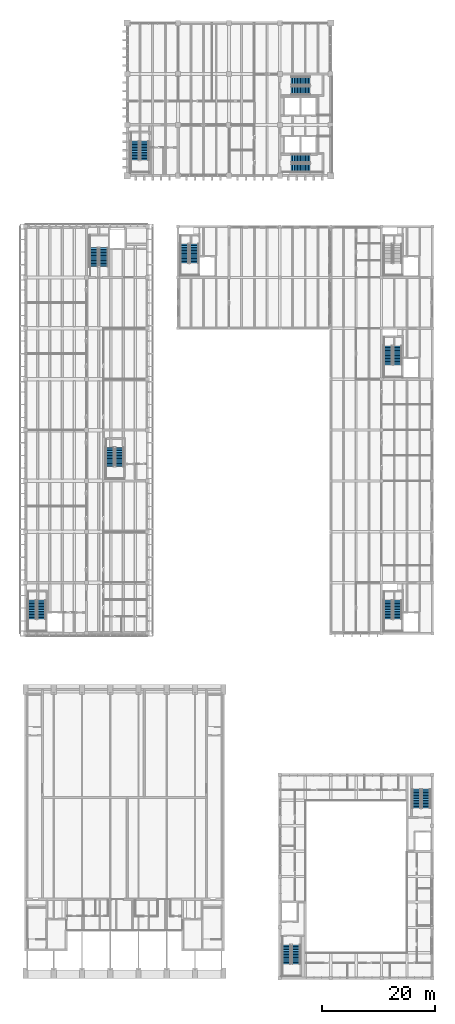
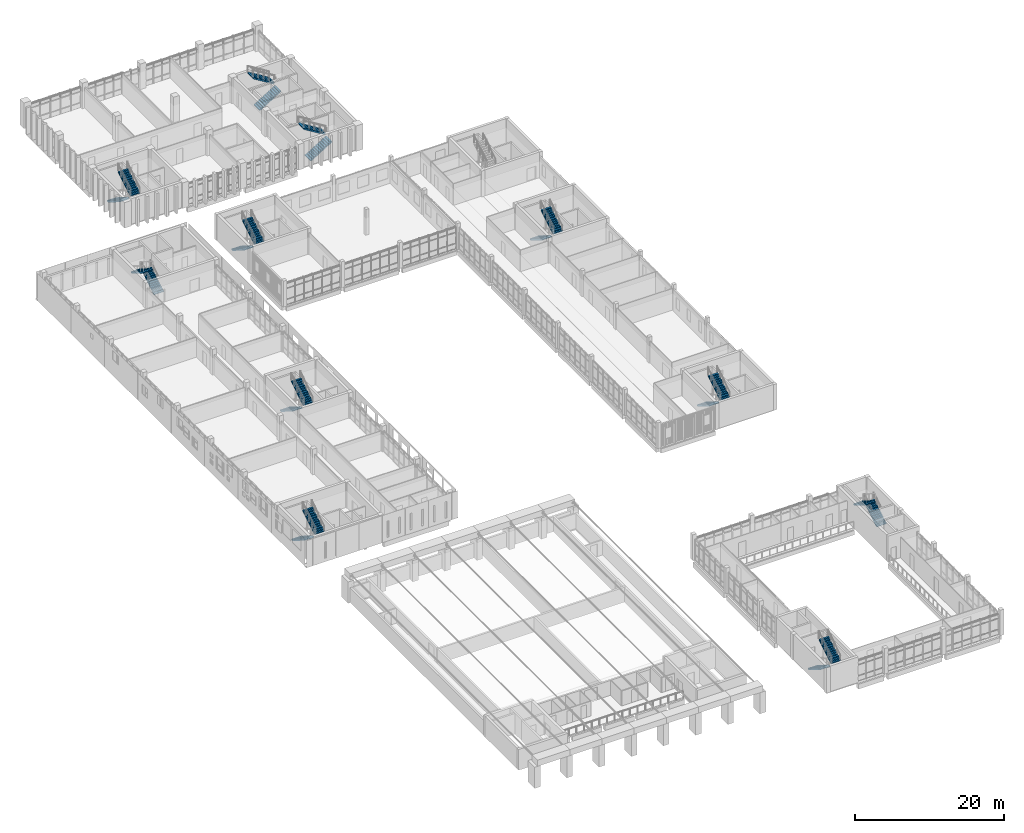
# One storey, part 60 of 92: 22 stair flights, 11 elements without a shape of their own.
"""IFC4 building model written with IfcOpenShell, lengths in metres."""

from ifc_helpers import new_model, si_unit, direction, frame, origin, place, context, subcontext, project, spatial, polyline, outline, extrude, material, type_object, element, aggregate, save


model = new_model("IFC4")

# Units and contexts
model_context = context("Model", 3, precision=1e-05, world=origin(), true_north=direction((0.0, 1.0)))
body_context = subcontext(model_context, "Body", "Model", "MODEL_VIEW")
ifc_project = project(units=[si_unit("LENGTHUNIT", "METRE"), si_unit("AREAUNIT", "SQUARE_METRE"), si_unit("VOLUMEUNIT", "CUBIC_METRE"), si_unit("PLANEANGLEUNIT", "RADIAN"), si_unit("MASSUNIT", "GRAM", prefix="KILO")], contexts=[model_context])

# Site, building, storey
site_placement = place(None, origin())
site = spatial("IfcSite", under=ifc_project, at=site_placement, CompositionType="ELEMENT")
building_placement = place(site_placement, origin())
building = spatial("IfcBuilding", under=site, at=building_placement, Name="Merrow Basin Faculty of Sciences", CompositionType="ELEMENT")
storey_placement = place(building_placement, frame((0.0, 0.0, 4.5)))
storey = spatial("IfcBuildingStorey", under=building, at=storey_placement, Name="L01", CompositionType="ELEMENT", Elevation=4.5)

# Stair, stair flights
ifc_material_1 = material(Name="Concrete C40/50", Category="concrete")
stair_type = type_object("IfcStairType", Name="Concrete dog-leg stair Concrete C40/50", PredefinedType="HALF_TURN_STAIR", material=ifc_material_1)
stair_1_placement = place(storey_placement, origin())
stair_1 = element("IfcStair", 1, at=stair_1_placement, inside=storey, type_object=stair_type, Name="L01 Exit stair S", PredefinedType="HALF_TURN_STAIR")
ifc_material_2 = material(Name="Concrete C40/50", Category="concrete")
stair_flight_type = type_object("IfcStairFlightType", Name="Concrete stair flight Concrete C40/50", PredefinedType="STRAIGHT", material=ifc_material_2)
stair_flight_1_placement = place(storey_placement, frame((1.14990234375, 66.89990234375, 0.0), z_axis=(0.0, 0.0, 1.0), x_axis=(0.0, -1.0, 0.0)))
stair_flight_1 = element("IfcStairFlight", 2, at=stair_flight_1_placement, type_object=stair_flight_type, Name="ST-V4-S flight 1", NumberOfRisers=13, NumberOfTreads=12, PredefinedType="STRAIGHT", RiserHeight=0.173076923, TreadLength=0.28, context=body_context, shape_type="SweptSolid", body=[
    extrude(outline(polyline([(0.0, 0.0), (0.0, 0.173095703125), (0.280029296875, 0.173095703125), (0.280029296875, 0.34619140625), (0.56005859375, 0.34619140625), (0.56005859375, 0.519287109375), (0.840087890625, 0.519287109375), (0.840087890625, 0.6923828125), (1.1201171875, 0.6923828125), (1.1201171875, 0.865478515625), (1.39990234375, 0.865478515625), (1.39990234375, 1.03857421875), (1.679931640625, 1.03857421875), (1.679931640625, 1.21142578125), (1.9599609375, 1.21142578125), (1.9599609375, 1.384521484375), (2.239990234375, 1.384521484375), (2.239990234375, 1.5576171875), (2.52001953125, 1.5576171875), (2.52001953125, 1.730712890625), (2.800048828125, 1.730712890625), (2.800048828125, 1.90380859375), (3.080078125, 1.90380859375), (3.080078125, 2.076904296875), (3.360107421875, 2.076904296875), (3.360107421875, 2.25), (3.360107421875, 1.900634765625), (0.28515625, 0.0), (0.0, 0.0)])), frame((0.0, 0.75, 0.0), z_axis=(0.0, -1.0, 0.0), x_axis=(1.0, 0.0, 0.0)), (0.0, 0.0, 1.0), 1.5),
])
stair_flight_2_placement = place(storey_placement, frame((2.85009765625, 63.5400390625, 2.25), z_axis=(0.0, 0.0, 1.0), x_axis=(0.0, 1.0, 0.0)))
stair_flight_2 = element("IfcStairFlight", 3, at=stair_flight_2_placement, type_object=stair_flight_type, Name="ST-V4-S flight 2", NumberOfRisers=13, NumberOfTreads=12, PredefinedType="STRAIGHT", RiserHeight=0.173076923, TreadLength=0.28, context=body_context, shape_type="SweptSolid", body=[
    extrude(outline(polyline([(0.0, 0.0), (0.0, 0.173095703125), (0.280029296875, 0.173095703125), (0.280029296875, 0.34619140625), (0.56005859375, 0.34619140625), (0.56005859375, 0.519287109375), (0.840087890625, 0.519287109375), (0.840087890625, 0.6923828125), (1.1201171875, 0.6923828125), (1.1201171875, 0.865478515625), (1.39990234375, 0.865478515625), (1.39990234375, 1.03857421875), (1.679931640625, 1.03857421875), (1.679931640625, 1.21142578125), (1.9599609375, 1.21142578125), (1.9599609375, 1.384521484375), (2.239990234375, 1.384521484375), (2.239990234375, 1.5576171875), (2.52001953125, 1.5576171875), (2.52001953125, 1.730712890625), (2.800048828125, 1.730712890625), (2.800048828125, 1.90380859375), (3.080078125, 1.90380859375), (3.080078125, 2.076904296875), (3.360107421875, 2.076904296875), (3.360107421875, 2.25), (3.360107421875, 1.900634765625), (0.28515625, 0.0), (0.0, 0.0)])), frame((0.0, 0.75, 0.0), z_axis=(0.0, -1.0, 0.0), x_axis=(1.0, 0.0, 0.0)), (0.0, 0.0, 1.0), 1.5),
])
aggregate(stair_1, [stair_flight_1, stair_flight_2])

stair_2_placement = place(storey_placement, origin())
stair_2 = element("IfcStair", 4, at=stair_2_placement, inside=storey, type_object=stair_type, Name="L01 Exit stair M", PredefinedType="HALF_TURN_STAIR")
stair_flight_3_placement = place(storey_placement, frame((14.949951171875, 93.89990234375, 0.0), z_axis=(0.0, 0.0, 1.0), x_axis=(0.0, -1.0, 0.0)))
stair_flight_3 = element("IfcStairFlight", 5, at=stair_flight_3_placement, type_object=stair_flight_type, Name="ST-V4-M flight 1", NumberOfRisers=13, NumberOfTreads=12, PredefinedType="STRAIGHT", RiserHeight=0.173076923, TreadLength=0.28, context=body_context, shape_type="SweptSolid", body=[
    extrude(outline(polyline([(0.0, 0.0), (0.0, 0.173095703125), (0.280029296875, 0.173095703125), (0.280029296875, 0.34619140625), (0.56005859375, 0.34619140625), (0.56005859375, 0.519287109375), (0.840087890625, 0.519287109375), (0.840087890625, 0.6923828125), (1.1201171875, 0.6923828125), (1.1201171875, 0.865478515625), (1.39990234375, 0.865478515625), (1.39990234375, 1.03857421875), (1.679931640625, 1.03857421875), (1.679931640625, 1.21142578125), (1.9599609375, 1.21142578125), (1.9599609375, 1.384521484375), (2.239990234375, 1.384521484375), (2.239990234375, 1.5576171875), (2.52001953125, 1.5576171875), (2.52001953125, 1.730712890625), (2.800048828125, 1.730712890625), (2.800048828125, 1.90380859375), (3.080078125, 1.90380859375), (3.080078125, 2.076904296875), (3.360107421875, 2.076904296875), (3.360107421875, 2.25), (3.360107421875, 1.900634765625), (0.28515625, 0.0), (0.0, 0.0)])), frame((0.0, 0.75, 0.0), z_axis=(0.0, -1.0, 0.0), x_axis=(1.0, 0.0, 0.0)), (0.0, 0.0, 1.0), 1.5),
])
stair_flight_4_placement = place(storey_placement, frame((16.64990234375, 90.5400390625, 2.25), z_axis=(0.0, 0.0, 1.0), x_axis=(0.0, 1.0, 0.0)))
stair_flight_4 = element("IfcStairFlight", 6, at=stair_flight_4_placement, type_object=stair_flight_type, Name="ST-V4-M flight 2", NumberOfRisers=13, NumberOfTreads=12, PredefinedType="STRAIGHT", RiserHeight=0.173076923, TreadLength=0.28, context=body_context, shape_type="SweptSolid", body=[
    extrude(outline(polyline([(0.0, 0.0), (0.0, 0.173095703125), (0.280029296875, 0.173095703125), (0.280029296875, 0.34619140625), (0.56005859375, 0.34619140625), (0.56005859375, 0.519287109375), (0.840087890625, 0.519287109375), (0.840087890625, 0.6923828125), (1.1201171875, 0.6923828125), (1.1201171875, 0.865478515625), (1.39990234375, 0.865478515625), (1.39990234375, 1.03857421875), (1.679931640625, 1.03857421875), (1.679931640625, 1.21142578125), (1.9599609375, 1.21142578125), (1.9599609375, 1.384521484375), (2.239990234375, 1.384521484375), (2.239990234375, 1.5576171875), (2.52001953125, 1.5576171875), (2.52001953125, 1.730712890625), (2.800048828125, 1.730712890625), (2.800048828125, 1.90380859375), (3.080078125, 1.90380859375), (3.080078125, 2.076904296875), (3.360107421875, 2.076904296875), (3.360107421875, 2.25), (3.360107421875, 1.900634765625), (0.28515625, 0.0), (0.0, 0.0)])), frame((0.0, 0.75, 0.0), z_axis=(0.0, -1.0, 0.0), x_axis=(1.0, 0.0, 0.0)), (0.0, 0.0, 1.0), 1.5),
])
aggregate(stair_2, [stair_flight_3, stair_flight_4])

stair_3_placement = place(storey_placement, origin())
stair_3 = element("IfcStair", 7, at=stair_3_placement, inside=storey, type_object=stair_type, Name="L01 Exit stair N", PredefinedType="HALF_TURN_STAIR")
stair_flight_5_placement = place(storey_placement, frame((13.85009765625, 125.89990234375, 0.0), z_axis=(0.0, 0.0, 1.0), x_axis=(0.0, 1.0, 0.0)))
stair_flight_5 = element("IfcStairFlight", 8, at=stair_flight_5_placement, type_object=stair_flight_type, Name="ST-V4-N flight 1", NumberOfRisers=13, NumberOfTreads=12, PredefinedType="STRAIGHT", RiserHeight=0.173076923, TreadLength=0.28, context=body_context, shape_type="SweptSolid", body=[
    extrude(outline(polyline([(0.0, 0.0), (0.0, 0.173095703125), (0.280029296875, 0.173095703125), (0.280029296875, 0.34619140625), (0.56005859375, 0.34619140625), (0.56005859375, 0.519287109375), (0.840087890625, 0.519287109375), (0.840087890625, 0.6923828125), (1.1201171875, 0.6923828125), (1.1201171875, 0.865478515625), (1.39990234375, 0.865478515625), (1.39990234375, 1.03857421875), (1.679931640625, 1.03857421875), (1.679931640625, 1.21142578125), (1.9599609375, 1.21142578125), (1.9599609375, 1.384521484375), (2.239990234375, 1.384521484375), (2.239990234375, 1.5576171875), (2.52001953125, 1.5576171875), (2.52001953125, 1.730712890625), (2.800048828125, 1.730712890625), (2.800048828125, 1.90380859375), (3.080078125, 1.90380859375), (3.080078125, 2.076904296875), (3.360107421875, 2.076904296875), (3.360107421875, 2.25), (3.360107421875, 1.900634765625), (0.28515625, 0.0), (0.0, 0.0)])), frame((0.0, 0.75, 0.0), z_axis=(0.0, -1.0, 0.0), x_axis=(1.0, 0.0, 0.0)), (0.0, 0.0, 1.0), 1.5),
])
stair_flight_6_placement = place(storey_placement, frame((12.14990234375, 129.260009765625, 2.25), z_axis=(0.0, 0.0, 1.0), x_axis=(0.0, -1.0, 0.0)))
stair_flight_6 = element("IfcStairFlight", 9, at=stair_flight_6_placement, type_object=stair_flight_type, Name="ST-V4-N flight 2", NumberOfRisers=13, NumberOfTreads=12, PredefinedType="STRAIGHT", RiserHeight=0.173076923, TreadLength=0.28, context=body_context, shape_type="SweptSolid", body=[
    extrude(outline(polyline([(0.0, 0.0), (0.0, 0.173095703125), (0.280029296875, 0.173095703125), (0.280029296875, 0.34619140625), (0.56005859375, 0.34619140625), (0.56005859375, 0.519287109375), (0.840087890625, 0.519287109375), (0.840087890625, 0.6923828125), (1.1201171875, 0.6923828125), (1.1201171875, 0.865478515625), (1.39990234375, 0.865478515625), (1.39990234375, 1.03857421875), (1.679931640625, 1.03857421875), (1.679931640625, 1.21142578125), (1.9599609375, 1.21142578125), (1.9599609375, 1.384521484375), (2.239990234375, 1.384521484375), (2.239990234375, 1.5576171875), (2.52001953125, 1.5576171875), (2.52001953125, 1.730712890625), (2.800048828125, 1.730712890625), (2.800048828125, 1.90380859375), (3.080078125, 1.90380859375), (3.080078125, 2.076904296875), (3.360107421875, 2.076904296875), (3.360107421875, 2.25), (3.360107421875, 1.900634765625), (0.28515625, 0.0), (0.0, 0.0)])), frame((0.0, 0.75, 0.0), z_axis=(0.0, -1.0, 0.0), x_axis=(1.0, 0.0, 0.0)), (0.0, 0.0, 1.0), 1.5),
])
aggregate(stair_3, [stair_flight_5, stair_flight_6])

stair_4_placement = place(storey_placement, origin())
stair_4 = element("IfcStair", 10, at=stair_4_placement, inside=storey, type_object=stair_type, Name="L01 Exit stair W", PredefinedType="HALF_TURN_STAIR")
stair_flight_7_placement = place(storey_placement, frame((28.14990234375, 129.89990234375, 0.0), z_axis=(0.0, 0.0, 1.0), x_axis=(0.0, -1.0, 0.0)))
stair_flight_7 = element("IfcStairFlight", 11, at=stair_flight_7_placement, type_object=stair_flight_type, Name="ST-V2-W flight 1", NumberOfRisers=13, NumberOfTreads=12, PredefinedType="STRAIGHT", RiserHeight=0.173076923, TreadLength=0.28, context=body_context, shape_type="SweptSolid", body=[
    extrude(outline(polyline([(0.0, 0.0), (0.0, 0.173095703125), (0.280029296875, 0.173095703125), (0.280029296875, 0.34619140625), (0.56005859375, 0.34619140625), (0.56005859375, 0.519287109375), (0.840087890625, 0.519287109375), (0.840087890625, 0.6923828125), (1.1201171875, 0.6923828125), (1.1201171875, 0.865478515625), (1.39990234375, 0.865478515625), (1.39990234375, 1.03857421875), (1.679931640625, 1.03857421875), (1.679931640625, 1.21142578125), (1.9599609375, 1.21142578125), (1.9599609375, 1.384521484375), (2.239990234375, 1.384521484375), (2.239990234375, 1.5576171875), (2.52001953125, 1.5576171875), (2.52001953125, 1.730712890625), (2.800048828125, 1.730712890625), (2.800048828125, 1.90380859375), (3.080078125, 1.90380859375), (3.080078125, 2.076904296875), (3.360107421875, 2.076904296875), (3.360107421875, 2.25), (3.360107421875, 1.900634765625), (0.28515625, 0.0), (0.0, 0.0)])), frame((0.0, 0.75, 0.0), z_axis=(0.0, -1.0, 0.0), x_axis=(1.0, 0.0, 0.0)), (0.0, 0.0, 1.0), 1.5),
])
stair_flight_8_placement = place(storey_placement, frame((29.85009765625, 126.5400390625, 2.25), z_axis=(0.0, 0.0, 1.0), x_axis=(0.0, 1.0, 0.0)))
stair_flight_8 = element("IfcStairFlight", 12, at=stair_flight_8_placement, type_object=stair_flight_type, Name="ST-V2-W flight 2", NumberOfRisers=13, NumberOfTreads=12, PredefinedType="STRAIGHT", RiserHeight=0.173076923, TreadLength=0.28, context=body_context, shape_type="SweptSolid", body=[
    extrude(outline(polyline([(0.0, 0.0), (0.0, 0.173095703125), (0.280029296875, 0.173095703125), (0.280029296875, 0.34619140625), (0.56005859375, 0.34619140625), (0.56005859375, 0.519287109375), (0.840087890625, 0.519287109375), (0.840087890625, 0.6923828125), (1.1201171875, 0.6923828125), (1.1201171875, 0.865478515625), (1.39990234375, 0.865478515625), (1.39990234375, 1.03857421875), (1.679931640625, 1.03857421875), (1.679931640625, 1.21142578125), (1.9599609375, 1.21142578125), (1.9599609375, 1.384521484375), (2.239990234375, 1.384521484375), (2.239990234375, 1.5576171875), (2.52001953125, 1.5576171875), (2.52001953125, 1.730712890625), (2.800048828125, 1.730712890625), (2.800048828125, 1.90380859375), (3.080078125, 1.90380859375), (3.080078125, 2.076904296875), (3.360107421875, 2.076904296875), (3.360107421875, 2.25), (3.360107421875, 1.900634765625), (0.28515625, 0.0), (0.0, 0.0)])), frame((0.0, 0.75, 0.0), z_axis=(0.0, -1.0, 0.0), x_axis=(1.0, 0.0, 0.0)), (0.0, 0.0, 1.0), 1.5),
])
aggregate(stair_4, [stair_flight_7, stair_flight_8])

stair_5_placement = place(storey_placement, origin())
stair_5 = element("IfcStair", 13, at=stair_5_placement, inside=storey, type_object=stair_type, Name="L01 Exit stair S", PredefinedType="HALF_TURN_STAIR")
stair_flight_9_placement = place(storey_placement, frame((64.14990234375, 66.89990234375, 0.0), z_axis=(0.0, 0.0, 1.0), x_axis=(0.0, -1.0, 0.0)))
stair_flight_9 = element("IfcStairFlight", 14, at=stair_flight_9_placement, type_object=stair_flight_type, Name="ST-V2-S flight 1", NumberOfRisers=13, NumberOfTreads=12, PredefinedType="STRAIGHT", RiserHeight=0.173076923, TreadLength=0.28, context=body_context, shape_type="SweptSolid", body=[
    extrude(outline(polyline([(0.0, 0.0), (0.0, 0.173095703125), (0.280029296875, 0.173095703125), (0.280029296875, 0.34619140625), (0.56005859375, 0.34619140625), (0.56005859375, 0.519287109375), (0.840087890625, 0.519287109375), (0.840087890625, 0.6923828125), (1.1201171875, 0.6923828125), (1.1201171875, 0.865478515625), (1.39990234375, 0.865478515625), (1.39990234375, 1.03857421875), (1.679931640625, 1.03857421875), (1.679931640625, 1.21142578125), (1.9599609375, 1.21142578125), (1.9599609375, 1.384521484375), (2.239990234375, 1.384521484375), (2.239990234375, 1.5576171875), (2.52001953125, 1.5576171875), (2.52001953125, 1.730712890625), (2.800048828125, 1.730712890625), (2.800048828125, 1.90380859375), (3.080078125, 1.90380859375), (3.080078125, 2.076904296875), (3.360107421875, 2.076904296875), (3.360107421875, 2.25), (3.360107421875, 1.900634765625), (0.28515625, 0.0), (0.0, 0.0)])), frame((0.0, 0.75, 0.0), z_axis=(0.0, -1.0, 0.0), x_axis=(1.0, 0.0, 0.0)), (0.0, 0.0, 1.0), 1.5),
])
stair_flight_10_placement = place(storey_placement, frame((65.85009765625, 63.5400390625, 2.25), z_axis=(0.0, 0.0, 1.0), x_axis=(0.0, 1.0, 0.0)))
stair_flight_10 = element("IfcStairFlight", 15, at=stair_flight_10_placement, type_object=stair_flight_type, Name="ST-V2-S flight 2", NumberOfRisers=13, NumberOfTreads=12, PredefinedType="STRAIGHT", RiserHeight=0.173076923, TreadLength=0.28, context=body_context, shape_type="SweptSolid", body=[
    extrude(outline(polyline([(0.0, 0.0), (0.0, 0.173095703125), (0.280029296875, 0.173095703125), (0.280029296875, 0.34619140625), (0.56005859375, 0.34619140625), (0.56005859375, 0.519287109375), (0.840087890625, 0.519287109375), (0.840087890625, 0.6923828125), (1.1201171875, 0.6923828125), (1.1201171875, 0.865478515625), (1.39990234375, 0.865478515625), (1.39990234375, 1.03857421875), (1.679931640625, 1.03857421875), (1.679931640625, 1.21142578125), (1.9599609375, 1.21142578125), (1.9599609375, 1.384521484375), (2.239990234375, 1.384521484375), (2.239990234375, 1.5576171875), (2.52001953125, 1.5576171875), (2.52001953125, 1.730712890625), (2.800048828125, 1.730712890625), (2.800048828125, 1.90380859375), (3.080078125, 1.90380859375), (3.080078125, 2.076904296875), (3.360107421875, 2.076904296875), (3.360107421875, 2.25), (3.360107421875, 1.900634765625), (0.28515625, 0.0), (0.0, 0.0)])), frame((0.0, 0.75, 0.0), z_axis=(0.0, -1.0, 0.0), x_axis=(1.0, 0.0, 0.0)), (0.0, 0.0, 1.0), 1.5),
])
aggregate(stair_5, [stair_flight_9, stair_flight_10])

stair_6_placement = place(storey_placement, origin())
stair_6 = element("IfcStair", 16, at=stair_6_placement, inside=storey, type_object=stair_type, Name="L01 Exit stair M", PredefinedType="HALF_TURN_STAIR")
stair_flight_11_placement = place(storey_placement, frame((64.14990234375, 111.89990234375, 0.0), z_axis=(0.0, 0.0, 1.0), x_axis=(0.0, -1.0, 0.0)))
stair_flight_11 = element("IfcStairFlight", 17, at=stair_flight_11_placement, type_object=stair_flight_type, Name="ST-V2-M flight 1", NumberOfRisers=13, NumberOfTreads=12, PredefinedType="STRAIGHT", RiserHeight=0.173076923, TreadLength=0.28, context=body_context, shape_type="SweptSolid", body=[
    extrude(outline(polyline([(0.0, 0.0), (0.0, 0.173095703125), (0.280029296875, 0.173095703125), (0.280029296875, 0.34619140625), (0.56005859375, 0.34619140625), (0.56005859375, 0.519287109375), (0.840087890625, 0.519287109375), (0.840087890625, 0.6923828125), (1.1201171875, 0.6923828125), (1.1201171875, 0.865478515625), (1.39990234375, 0.865478515625), (1.39990234375, 1.03857421875), (1.679931640625, 1.03857421875), (1.679931640625, 1.21142578125), (1.9599609375, 1.21142578125), (1.9599609375, 1.384521484375), (2.239990234375, 1.384521484375), (2.239990234375, 1.5576171875), (2.52001953125, 1.5576171875), (2.52001953125, 1.730712890625), (2.800048828125, 1.730712890625), (2.800048828125, 1.90380859375), (3.080078125, 1.90380859375), (3.080078125, 2.076904296875), (3.360107421875, 2.076904296875), (3.360107421875, 2.25), (3.360107421875, 1.900634765625), (0.28515625, 0.0), (0.0, 0.0)])), frame((0.0, 0.75, 0.0), z_axis=(0.0, -1.0, 0.0), x_axis=(1.0, 0.0, 0.0)), (0.0, 0.0, 1.0), 1.5),
])
stair_flight_12_placement = place(storey_placement, frame((65.85009765625, 108.5400390625, 2.25), z_axis=(0.0, 0.0, 1.0), x_axis=(0.0, 1.0, 0.0)))
stair_flight_12 = element("IfcStairFlight", 18, at=stair_flight_12_placement, type_object=stair_flight_type, Name="ST-V2-M flight 2", NumberOfRisers=13, NumberOfTreads=12, PredefinedType="STRAIGHT", RiserHeight=0.173076923, TreadLength=0.28, context=body_context, shape_type="SweptSolid", body=[
    extrude(outline(polyline([(0.0, 0.0), (0.0, 0.173095703125), (0.280029296875, 0.173095703125), (0.280029296875, 0.34619140625), (0.56005859375, 0.34619140625), (0.56005859375, 0.519287109375), (0.840087890625, 0.519287109375), (0.840087890625, 0.6923828125), (1.1201171875, 0.6923828125), (1.1201171875, 0.865478515625), (1.39990234375, 0.865478515625), (1.39990234375, 1.03857421875), (1.679931640625, 1.03857421875), (1.679931640625, 1.21142578125), (1.9599609375, 1.21142578125), (1.9599609375, 1.384521484375), (2.239990234375, 1.384521484375), (2.239990234375, 1.5576171875), (2.52001953125, 1.5576171875), (2.52001953125, 1.730712890625), (2.800048828125, 1.730712890625), (2.800048828125, 1.90380859375), (3.080078125, 1.90380859375), (3.080078125, 2.076904296875), (3.360107421875, 2.076904296875), (3.360107421875, 2.25), (3.360107421875, 1.900634765625), (0.28515625, 0.0), (0.0, 0.0)])), frame((0.0, 0.75, 0.0), z_axis=(0.0, -1.0, 0.0), x_axis=(1.0, 0.0, 0.0)), (0.0, 0.0, 1.0), 1.5),
])
aggregate(stair_6, [stair_flight_11, stair_flight_12])

stair_7_placement = place(storey_placement, origin())
stair_7 = element("IfcStair", 19, at=stair_7_placement, inside=storey, type_object=stair_type, Name="L01 Exit stair W", PredefinedType="HALF_TURN_STAIR")
stair_flight_13_placement = place(storey_placement, frame((46.14990234375, 5.89990234375, 0.0), z_axis=(0.0, 0.0, 1.0), x_axis=(0.0, -1.0, 0.0)))
stair_flight_13 = element("IfcStairFlight", 20, at=stair_flight_13_placement, type_object=stair_flight_type, Name="ST-V3-W flight 1", NumberOfRisers=13, NumberOfTreads=12, PredefinedType="STRAIGHT", RiserHeight=0.173076923, TreadLength=0.28, context=body_context, shape_type="SweptSolid", body=[
    extrude(outline(polyline([(0.0, 0.0), (0.0, 0.173095703125), (0.280029296875, 0.173095703125), (0.280029296875, 0.34619140625), (0.56005859375, 0.34619140625), (0.56005859375, 0.519287109375), (0.840087890625, 0.519287109375), (0.840087890625, 0.6923828125), (1.1201171875, 0.6923828125), (1.1201171875, 0.865478515625), (1.39990234375, 0.865478515625), (1.39990234375, 1.03857421875), (1.679931640625, 1.03857421875), (1.679931640625, 1.21142578125), (1.9599609375, 1.21142578125), (1.9599609375, 1.384521484375), (2.239990234375, 1.384521484375), (2.239990234375, 1.5576171875), (2.52001953125, 1.5576171875), (2.52001953125, 1.730712890625), (2.800048828125, 1.730712890625), (2.800048828125, 1.90380859375), (3.080078125, 1.90380859375), (3.080078125, 2.076904296875), (3.360107421875, 2.076904296875), (3.360107421875, 2.25), (3.360107421875, 1.900634765625), (0.28515625, 0.0), (0.0, 0.0)])), frame((0.0, 0.75, 0.0), z_axis=(0.0, -1.0, 0.0), x_axis=(1.0, 0.0, 0.0)), (0.0, 0.0, 1.0), 1.5),
])
stair_flight_14_placement = place(storey_placement, frame((47.85009765625, 2.5400390625, 2.25), z_axis=(0.0, 0.0, 1.0), x_axis=(0.0, 1.0, 0.0)))
stair_flight_14 = element("IfcStairFlight", 21, at=stair_flight_14_placement, type_object=stair_flight_type, Name="ST-V3-W flight 2", NumberOfRisers=13, NumberOfTreads=12, PredefinedType="STRAIGHT", RiserHeight=0.173076923, TreadLength=0.28, context=body_context, shape_type="SweptSolid", body=[
    extrude(outline(polyline([(0.0, 0.0), (0.0, 0.173095703125), (0.280029296875, 0.173095703125), (0.280029296875, 0.34619140625), (0.56005859375, 0.34619140625), (0.56005859375, 0.519287109375), (0.840087890625, 0.519287109375), (0.840087890625, 0.6923828125), (1.1201171875, 0.6923828125), (1.1201171875, 0.865478515625), (1.39990234375, 0.865478515625), (1.39990234375, 1.03857421875), (1.679931640625, 1.03857421875), (1.679931640625, 1.21142578125), (1.9599609375, 1.21142578125), (1.9599609375, 1.384521484375), (2.239990234375, 1.384521484375), (2.239990234375, 1.5576171875), (2.52001953125, 1.5576171875), (2.52001953125, 1.730712890625), (2.800048828125, 1.730712890625), (2.800048828125, 1.90380859375), (3.080078125, 1.90380859375), (3.080078125, 2.076904296875), (3.360107421875, 2.076904296875), (3.360107421875, 2.25), (3.360107421875, 1.900634765625), (0.28515625, 0.0), (0.0, 0.0)])), frame((0.0, 0.75, 0.0), z_axis=(0.0, -1.0, 0.0), x_axis=(1.0, 0.0, 0.0)), (0.0, 0.0, 1.0), 1.5),
])
aggregate(stair_7, [stair_flight_13, stair_flight_14])

stair_8_placement = place(storey_placement, origin())
stair_8 = element("IfcStair", 22, at=stair_8_placement, inside=storey, type_object=stair_type, Name="L01 Exit stair E", PredefinedType="HALF_TURN_STAIR")
stair_flight_15_placement = place(storey_placement, frame((70.85009765625, 30.10009765625, 0.0), z_axis=(0.0, 0.0, 1.0), x_axis=(0.0, 1.0, 0.0)))
stair_flight_15 = element("IfcStairFlight", 23, at=stair_flight_15_placement, type_object=stair_flight_type, Name="ST-V3-E flight 1", NumberOfRisers=13, NumberOfTreads=12, PredefinedType="STRAIGHT", RiserHeight=0.173076923, TreadLength=0.28, context=body_context, shape_type="SweptSolid", body=[
    extrude(outline(polyline([(0.0, 0.0), (0.0, 0.173095703125), (0.280029296875, 0.173095703125), (0.280029296875, 0.34619140625), (0.56005859375, 0.34619140625), (0.56005859375, 0.519287109375), (0.840087890625, 0.519287109375), (0.840087890625, 0.6923828125), (1.1201171875, 0.6923828125), (1.1201171875, 0.865478515625), (1.39990234375, 0.865478515625), (1.39990234375, 1.03857421875), (1.679931640625, 1.03857421875), (1.679931640625, 1.21142578125), (1.9599609375, 1.21142578125), (1.9599609375, 1.384521484375), (2.239990234375, 1.384521484375), (2.239990234375, 1.5576171875), (2.52001953125, 1.5576171875), (2.52001953125, 1.730712890625), (2.800048828125, 1.730712890625), (2.800048828125, 1.90380859375), (3.080078125, 1.90380859375), (3.080078125, 2.076904296875), (3.360107421875, 2.076904296875), (3.360107421875, 2.25), (3.360107421875, 1.900634765625), (0.28515625, 0.0), (0.0, 0.0)])), frame((0.0, 0.75, 0.0), z_axis=(0.0, -1.0, 0.0), x_axis=(1.0, 0.0, 0.0)), (0.0, 0.0, 1.0), 1.5),
])
stair_flight_16_placement = place(storey_placement, frame((69.14990234375, 33.4599609375, 2.25), z_axis=(0.0, 0.0, 1.0), x_axis=(0.0, -1.0, 0.0)))
stair_flight_16 = element("IfcStairFlight", 24, at=stair_flight_16_placement, type_object=stair_flight_type, Name="ST-V3-E flight 2", NumberOfRisers=13, NumberOfTreads=12, PredefinedType="STRAIGHT", RiserHeight=0.173076923, TreadLength=0.28, context=body_context, shape_type="SweptSolid", body=[
    extrude(outline(polyline([(0.0, 0.0), (0.0, 0.173095703125), (0.280029296875, 0.173095703125), (0.280029296875, 0.34619140625), (0.56005859375, 0.34619140625), (0.56005859375, 0.519287109375), (0.840087890625, 0.519287109375), (0.840087890625, 0.6923828125), (1.1201171875, 0.6923828125), (1.1201171875, 0.865478515625), (1.39990234375, 0.865478515625), (1.39990234375, 1.03857421875), (1.679931640625, 1.03857421875), (1.679931640625, 1.21142578125), (1.9599609375, 1.21142578125), (1.9599609375, 1.384521484375), (2.239990234375, 1.384521484375), (2.239990234375, 1.5576171875), (2.52001953125, 1.5576171875), (2.52001953125, 1.730712890625), (2.800048828125, 1.730712890625), (2.800048828125, 1.90380859375), (3.080078125, 1.90380859375), (3.080078125, 2.076904296875), (3.360107421875, 2.076904296875), (3.360107421875, 2.25), (3.360107421875, 1.900634765625), (0.28515625, 0.0), (0.0, 0.0)])), frame((0.0, 0.75, 0.0), z_axis=(0.0, -1.0, 0.0), x_axis=(1.0, 0.0, 0.0)), (0.0, 0.0, 1.0), 1.5),
])
aggregate(stair_8, [stair_flight_15, stair_flight_16])

stair_9_placement = place(storey_placement, origin())
stair_9 = element("IfcStair", 25, at=stair_9_placement, inside=storey, type_object=stair_type, Name="L01 Exit stair S", PredefinedType="HALF_TURN_STAIR")
stair_flight_17_placement = place(storey_placement, frame((47.0, 157.050048828125, 0.0), z_axis=(0.0, 0.0, 1.0), x_axis=(1.0, 0.0, 0.0)))
stair_flight_17 = element("IfcStairFlight", 26, at=stair_flight_17_placement, type_object=stair_flight_type, Name="ST-V5-S flight 1", NumberOfRisers=13, NumberOfTreads=12, PredefinedType="STRAIGHT", RiserHeight=0.173076923, TreadLength=0.28, context=body_context, shape_type="SweptSolid", body=[
    extrude(outline(polyline([(0.0, 0.0), (0.0, 0.173095703125), (0.280029296875, 0.173095703125), (0.280029296875, 0.34619140625), (0.56005859375, 0.34619140625), (0.56005859375, 0.519287109375), (0.840087890625, 0.519287109375), (0.840087890625, 0.6923828125), (1.1201171875, 0.6923828125), (1.1201171875, 0.865478515625), (1.39990234375, 0.865478515625), (1.39990234375, 1.03857421875), (1.679931640625, 1.03857421875), (1.679931640625, 1.21142578125), (1.9599609375, 1.21142578125), (1.9599609375, 1.384521484375), (2.239990234375, 1.384521484375), (2.239990234375, 1.5576171875), (2.52001953125, 1.5576171875), (2.52001953125, 1.730712890625), (2.800048828125, 1.730712890625), (2.800048828125, 1.90380859375), (3.080078125, 1.90380859375), (3.080078125, 2.076904296875), (3.360107421875, 2.076904296875), (3.360107421875, 2.25), (3.360107421875, 1.900634765625), (0.28515625, 0.0), (0.0, 0.0)])), frame((0.0, 0.75, 0.0), z_axis=(0.0, -1.0, 0.0), x_axis=(1.0, 0.0, 0.0)), (0.0, 0.0, 1.0), 1.5),
])
stair_flight_18_placement = place(storey_placement, frame((50.360107421875, 158.75, 2.25), z_axis=(0.0, 0.0, 1.0), x_axis=(-1.0, 0.0, 0.0)))
stair_flight_18 = element("IfcStairFlight", 27, at=stair_flight_18_placement, type_object=stair_flight_type, Name="ST-V5-S flight 2", NumberOfRisers=13, NumberOfTreads=12, PredefinedType="STRAIGHT", RiserHeight=0.173076923, TreadLength=0.28, context=body_context, shape_type="SweptSolid", body=[
    extrude(outline(polyline([(0.0, 0.0), (0.0, 0.173095703125), (0.280029296875, 0.173095703125), (0.280029296875, 0.34619140625), (0.56005859375, 0.34619140625), (0.56005859375, 0.519287109375), (0.840087890625, 0.519287109375), (0.840087890625, 0.6923828125), (1.1201171875, 0.6923828125), (1.1201171875, 0.865478515625), (1.39990234375, 0.865478515625), (1.39990234375, 1.03857421875), (1.679931640625, 1.03857421875), (1.679931640625, 1.21142578125), (1.9599609375, 1.21142578125), (1.9599609375, 1.384521484375), (2.239990234375, 1.384521484375), (2.239990234375, 1.5576171875), (2.52001953125, 1.5576171875), (2.52001953125, 1.730712890625), (2.800048828125, 1.730712890625), (2.800048828125, 1.90380859375), (3.080078125, 1.90380859375), (3.080078125, 2.076904296875), (3.360107421875, 2.076904296875), (3.360107421875, 2.25), (3.360107421875, 1.900634765625), (0.28515625, 0.0), (0.0, 0.0)])), frame((0.0, 0.75, 0.0), z_axis=(0.0, -1.0, 0.0), x_axis=(1.0, 0.0, 0.0)), (0.0, 0.0, 1.0), 1.5),
])
aggregate(stair_9, [stair_flight_17, stair_flight_18])

stair_10_placement = place(storey_placement, origin())
stair_10 = element("IfcStair", 28, at=stair_10_placement, inside=storey, type_object=stair_type, Name="L01 Exit stair N", PredefinedType="HALF_TURN_STAIR")
stair_flight_19_placement = place(storey_placement, frame((47.0, 143.35009765625, 0.0), z_axis=(0.0, 0.0, 1.0), x_axis=(1.0, 0.0, 0.0)))
stair_flight_19 = element("IfcStairFlight", 29, at=stair_flight_19_placement, type_object=stair_flight_type, Name="ST-V5-N flight 1", NumberOfRisers=13, NumberOfTreads=12, PredefinedType="STRAIGHT", RiserHeight=0.173076923, TreadLength=0.28, context=body_context, shape_type="SweptSolid", body=[
    extrude(outline(polyline([(0.0, 0.0), (0.0, 0.173095703125), (0.280029296875, 0.173095703125), (0.280029296875, 0.34619140625), (0.56005859375, 0.34619140625), (0.56005859375, 0.519287109375), (0.840087890625, 0.519287109375), (0.840087890625, 0.6923828125), (1.1201171875, 0.6923828125), (1.1201171875, 0.865478515625), (1.39990234375, 0.865478515625), (1.39990234375, 1.03857421875), (1.679931640625, 1.03857421875), (1.679931640625, 1.21142578125), (1.9599609375, 1.21142578125), (1.9599609375, 1.384521484375), (2.239990234375, 1.384521484375), (2.239990234375, 1.5576171875), (2.52001953125, 1.5576171875), (2.52001953125, 1.730712890625), (2.800048828125, 1.730712890625), (2.800048828125, 1.90380859375), (3.080078125, 1.90380859375), (3.080078125, 2.076904296875), (3.360107421875, 2.076904296875), (3.360107421875, 2.25), (3.360107421875, 1.900634765625), (0.28515625, 0.0), (0.0, 0.0)])), frame((0.0, 0.75, 0.0), z_axis=(0.0, -1.0, 0.0), x_axis=(1.0, 0.0, 0.0)), (0.0, 0.0, 1.0), 1.5),
])
stair_flight_20_placement = place(storey_placement, frame((50.360107421875, 145.050048828125, 2.25), z_axis=(0.0, 0.0, 1.0), x_axis=(-1.0, 0.0, 0.0)))
stair_flight_20 = element("IfcStairFlight", 30, at=stair_flight_20_placement, type_object=stair_flight_type, Name="ST-V5-N flight 2", NumberOfRisers=13, NumberOfTreads=12, PredefinedType="STRAIGHT", RiserHeight=0.173076923, TreadLength=0.28, context=body_context, shape_type="SweptSolid", body=[
    extrude(outline(polyline([(0.0, 0.0), (0.0, 0.173095703125), (0.280029296875, 0.173095703125), (0.280029296875, 0.34619140625), (0.56005859375, 0.34619140625), (0.56005859375, 0.519287109375), (0.840087890625, 0.519287109375), (0.840087890625, 0.6923828125), (1.1201171875, 0.6923828125), (1.1201171875, 0.865478515625), (1.39990234375, 0.865478515625), (1.39990234375, 1.03857421875), (1.679931640625, 1.03857421875), (1.679931640625, 1.21142578125), (1.9599609375, 1.21142578125), (1.9599609375, 1.384521484375), (2.239990234375, 1.384521484375), (2.239990234375, 1.5576171875), (2.52001953125, 1.5576171875), (2.52001953125, 1.730712890625), (2.800048828125, 1.730712890625), (2.800048828125, 1.90380859375), (3.080078125, 1.90380859375), (3.080078125, 2.076904296875), (3.360107421875, 2.076904296875), (3.360107421875, 2.25), (3.360107421875, 1.900634765625), (0.28515625, 0.0), (0.0, 0.0)])), frame((0.0, 0.75, 0.0), z_axis=(0.0, -1.0, 0.0), x_axis=(1.0, 0.0, 0.0)), (0.0, 0.0, 1.0), 1.5),
])
aggregate(stair_10, [stair_flight_19, stair_flight_20])

stair_11_placement = place(storey_placement, origin())
stair_11 = element("IfcStair", 31, at=stair_11_placement, inside=storey, type_object=stair_type, Name="L01 Exit stair W", PredefinedType="HALF_TURN_STAIR")
stair_flight_21_placement = place(storey_placement, frame((19.35009765625, 148.10009765625, 0.0), z_axis=(0.0, 0.0, 1.0), x_axis=(0.0, -1.0, 0.0)))
stair_flight_21 = element("IfcStairFlight", 32, at=stair_flight_21_placement, type_object=stair_flight_type, Name="ST-V5-W flight 1", NumberOfRisers=13, NumberOfTreads=12, PredefinedType="STRAIGHT", RiserHeight=0.173076923, TreadLength=0.28, context=body_context, shape_type="SweptSolid", body=[
    extrude(outline(polyline([(0.0, 0.0), (0.0, 0.173095703125), (0.280029296875, 0.173095703125), (0.280029296875, 0.34619140625), (0.56005859375, 0.34619140625), (0.56005859375, 0.519287109375), (0.840087890625, 0.519287109375), (0.840087890625, 0.6923828125), (1.1201171875, 0.6923828125), (1.1201171875, 0.865478515625), (1.39990234375, 0.865478515625), (1.39990234375, 1.03857421875), (1.679931640625, 1.03857421875), (1.679931640625, 1.21142578125), (1.9599609375, 1.21142578125), (1.9599609375, 1.384521484375), (2.239990234375, 1.384521484375), (2.239990234375, 1.5576171875), (2.52001953125, 1.5576171875), (2.52001953125, 1.730712890625), (2.800048828125, 1.730712890625), (2.800048828125, 1.90380859375), (3.080078125, 1.90380859375), (3.080078125, 2.076904296875), (3.360107421875, 2.076904296875), (3.360107421875, 2.25), (3.360107421875, 1.900634765625), (0.28515625, 0.0), (0.0, 0.0)])), frame((0.0, 0.75, 0.0), z_axis=(0.0, -1.0, 0.0), x_axis=(1.0, 0.0, 0.0)), (0.0, 0.0, 1.0), 1.5),
])
stair_flight_22_placement = place(storey_placement, frame((21.050048828125, 144.739990234375, 2.25), z_axis=(0.0, 0.0, 1.0), x_axis=(0.0, 1.0, 0.0)))
stair_flight_22 = element("IfcStairFlight", 33, at=stair_flight_22_placement, type_object=stair_flight_type, Name="ST-V5-W flight 2", NumberOfRisers=13, NumberOfTreads=12, PredefinedType="STRAIGHT", RiserHeight=0.173076923, TreadLength=0.28, context=body_context, shape_type="SweptSolid", body=[
    extrude(outline(polyline([(0.0, 0.0), (0.0, 0.173095703125), (0.280029296875, 0.173095703125), (0.280029296875, 0.34619140625), (0.56005859375, 0.34619140625), (0.56005859375, 0.519287109375), (0.840087890625, 0.519287109375), (0.840087890625, 0.6923828125), (1.1201171875, 0.6923828125), (1.1201171875, 0.865478515625), (1.39990234375, 0.865478515625), (1.39990234375, 1.03857421875), (1.679931640625, 1.03857421875), (1.679931640625, 1.21142578125), (1.9599609375, 1.21142578125), (1.9599609375, 1.384521484375), (2.239990234375, 1.384521484375), (2.239990234375, 1.5576171875), (2.52001953125, 1.5576171875), (2.52001953125, 1.730712890625), (2.800048828125, 1.730712890625), (2.800048828125, 1.90380859375), (3.080078125, 1.90380859375), (3.080078125, 2.076904296875), (3.360107421875, 2.076904296875), (3.360107421875, 2.25), (3.360107421875, 1.900634765625), (0.28515625, 0.0), (0.0, 0.0)])), frame((0.0, 0.75, 0.0), z_axis=(0.0, -1.0, 0.0), x_axis=(1.0, 0.0, 0.0)), (0.0, 0.0, 1.0), 1.5),
])
aggregate(stair_11, [stair_flight_21, stair_flight_22])

save(model, "model.ifc")
